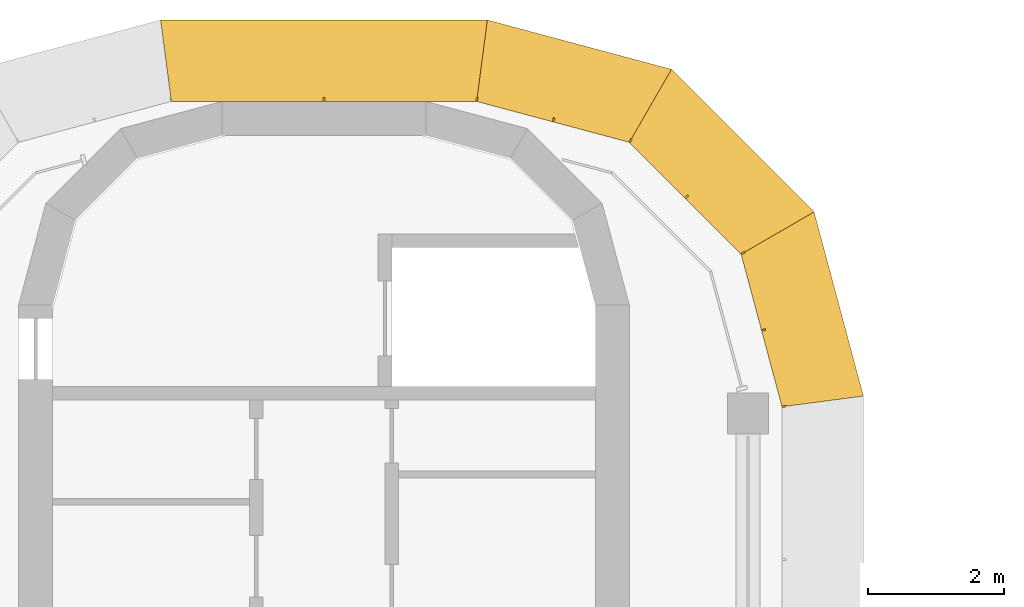
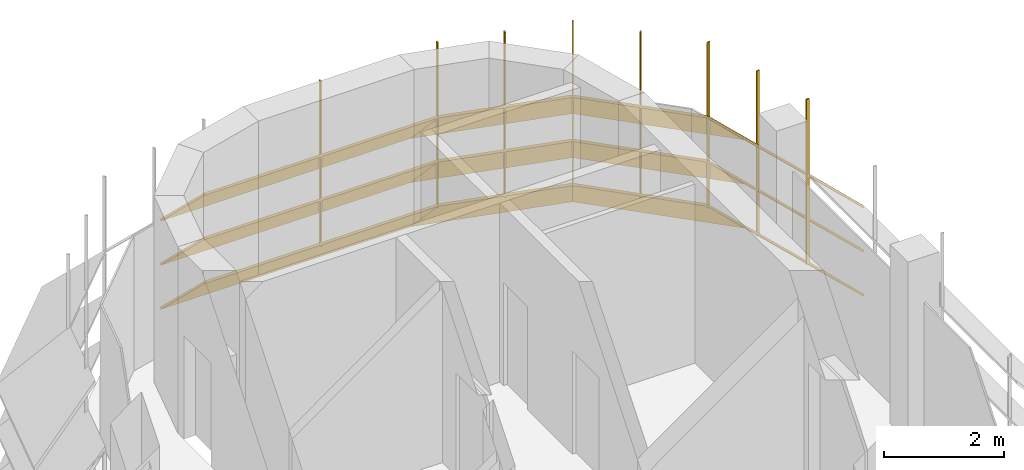
# One storey, part 19 of 19: 2 shading devices.
"""IFC4 building model written with IfcOpenShell, lengths in metres."""

from ifc_helpers import new_model, si_unit, direction, frame, origin, place, context, subcontext, project, spatial, polyline, outline, extrude, faceted_brep, source, transform, mapped, material, type_object, element, save


model = new_model("IFC4")

# Units and contexts
model_context = context("Model", 3, precision=1e-05, world=origin(), true_north=direction((0.0, 1.0)))
body_context = subcontext(model_context, "Body", "Model", "MODEL_VIEW")
ifc_project = project(units=[si_unit("LENGTHUNIT", "METRE"), si_unit("AREAUNIT", "SQUARE_METRE"), si_unit("VOLUMEUNIT", "CUBIC_METRE"), si_unit("PLANEANGLEUNIT", "RADIAN"), si_unit("MASSUNIT", "GRAM", prefix="KILO")], contexts=[model_context])

# Site, building, storey
site_placement = place(None, origin())
site = spatial("IfcSite", under=ifc_project, at=site_placement, CompositionType="ELEMENT")
building_placement = place(site_placement, origin())
building = spatial("IfcBuilding", under=site, at=building_placement, Name="Zarbagh Exchange Tower", CompositionType="ELEMENT")
storey_placement = place(building_placement, frame((0.0, 0.0, 257.39990234375)))
storey = spatial("IfcBuildingStorey", under=building, at=storey_placement, Name="L63", CompositionType="ELEMENT", Elevation=257.39990234375)

# Shading devices
ifc_material = material(Name="Anodised aluminium blades and brackets", Category="aluminium")
shading_device_type = type_object("IfcShadingDeviceType", Name="SUNSHADE louvre band, 45 degree blades", PredefinedType="JALOUSIE", material=ifc_material)
shared_shape_1 = source(origin(), body_context, "Body", "Brep", [
    faceted_brep([(0.0, 0.0, 0.0), (0.0, 0.0, -0.056640625), (-0.157958984375, -1.199951171875, -1.256591796875), (-0.157958984375, -1.199951171875, -1.199951171875), (2.65087890625, -1.199951171875, -1.199951171875), (2.65087890625, -1.199951171875, -1.256591796875), (2.329345703125, 0.0, -0.056640625), (2.329345703125, 0.0, 0.0)], [[[0, 1, 2, 3]], [[4, 5, 6, 7]], [[0, 7, 6, 1]], [[1, 6, 5, 2]], [[2, 5, 4, 3]], [[3, 4, 7, 0]]]),
])
shared_shape_2 = source(origin(), body_context, "Body", "Brep", [
    faceted_brep([(0.0, 0.0, 0.0), (0.0, 0.0, -0.056640625), (-0.321533203125, -1.199951171875, -1.256591796875), (-0.321533203125, -1.199951171875, -1.199951171875), (2.65087890625, -1.199951171875, -1.199951171875), (2.65087890625, -1.199951171875, -1.256591796875), (2.329345703125, 0.0, -0.056640625), (2.329345703125, 0.0, 0.0)], [[[0, 1, 2, 3]], [[4, 5, 6, 7]], [[0, 7, 6, 1]], [[1, 6, 5, 2]], [[2, 5, 4, 3]], [[3, 4, 7, 0]]]),
])
shared_shape_3 = source(origin(), body_context, "Body", "Brep", [
    faceted_brep([(0.0, 0.0, 0.0), (0.0, 0.0, -0.056640625), (-0.321533203125, -1.199951171875, -1.256591796875), (-0.321533203125, -1.199951171875, -1.199951171875), (2.4873046875, -1.199951171875, -1.199951171875), (2.4873046875, -1.199951171875, -1.256591796875), (2.329345703125, 0.0, -0.056640625), (2.329345703125, 0.0, 0.0)], [[[0, 1, 2, 3]], [[4, 5, 6, 7]], [[0, 7, 6, 1]], [[1, 6, 5, 2]], [[2, 5, 4, 3]], [[3, 4, 7, 0]]]),
])
shared_shape_4 = source(origin(), body_context, "Body", "SweptSolid", [
    extrude(outline(polyline([(0.0, -0.012451171875), (0.06005859375, -0.012451171875), (0.06005859375, 0.012451171875), (0.0, 0.012451171875), (0.0, -0.012451171875)])), origin(), (0.0, 0.0, 1.0), 3.366455078125),
])
placement = place(storey_placement, origin())
element("IfcShadingDevice", 1, at=placement, inside=storey, type_object=shading_device_type, Name="SS46 sunshade band", PredefinedType="JALOUSIE", context=body_context, shape_type="MappedRepresentation", body=[
    mapped(shared_shape_1, transform((6.75, 24.75, 2.300048828125), x_axis=(-0.258824779902, 0.965924289636, 0.0), y_axis=(-0.965924289636, -0.258824779902, 0.0), z_axis=(0.0, 0.0, 1.0))),
    mapped(shared_shape_1, transform((6.75, 24.75, 1.400146484375), x_axis=(-0.258824779902, 0.965924289636, 0.0), y_axis=(-0.965924289636, -0.258824779902, 0.0), z_axis=(0.0, 0.0, 1.0))),
    mapped(shared_shape_1, transform((6.75, 24.75, 0.5), x_axis=(-0.258824779902, 0.965924289636, 0.0), y_axis=(-0.965924289636, -0.258824779902, 0.0), z_axis=(0.0, 0.0, 1.0))),
    mapped(shared_shape_2, transform((6.147216796875, 27.0, 2.300048828125), x_axis=(-0.707106781187, 0.707106781187, 0.0), y_axis=(-0.707106781187, -0.707106781187, 0.0), z_axis=(0.0, 0.0, 1.0))),
    mapped(shared_shape_2, transform((6.147216796875, 27.0, 1.400146484375), x_axis=(-0.707106781187, 0.707106781187, 0.0), y_axis=(-0.707106781187, -0.707106781187, 0.0), z_axis=(0.0, 0.0, 1.0))),
    mapped(shared_shape_2, transform((6.147216796875, 27.0, 0.5), x_axis=(-0.707106781187, 0.707106781187, 0.0), y_axis=(-0.707106781187, -0.707106781187, 0.0), z_axis=(0.0, 0.0, 1.0))),
    mapped(shared_shape_3, transform((4.5, 28.647216796875, 2.300048828125), x_axis=(-0.965924289636, 0.258824779902, 0.0), y_axis=(-0.258824779902, -0.965924289636, 0.0), z_axis=(0.0, 0.0, 1.0))),
    mapped(shared_shape_3, transform((4.5, 28.647216796875, 1.400146484375), x_axis=(-0.965924289636, 0.258824779902, 0.0), y_axis=(-0.258824779902, -0.965924289636, 0.0), z_axis=(0.0, 0.0, 1.0))),
    mapped(shared_shape_3, transform((4.5, 28.647216796875, 0.5), x_axis=(-0.965924289636, 0.258824779902, 0.0), y_axis=(-0.258824779902, -0.965924289636, 0.0), z_axis=(0.0, 0.0, 1.0))),
    mapped(shared_shape_4, transform((6.75, 24.75, 0.41357421875), x_axis=(0.991444457092, 0.130529263012, 0.0), y_axis=(-0.130529263012, 0.991444457092, 0.0), z_axis=(0.0, 0.0, 1.0))),
    mapped(shared_shape_4, transform((6.448486328125, 25.875, 0.41357421875), x_axis=(0.96592421511, 0.258825058029, 0.0), y_axis=(-0.258825058029, 0.96592421511, 0.0), z_axis=(0.0, 0.0, 1.0))),
    mapped(shared_shape_4, transform((6.147216796875, 27.0, 0.41357421875), x_axis=(0.866023812018, 0.50000275701, 0.0), y_axis=(-0.50000275701, 0.866023812018, 0.0), z_axis=(0.0, 0.0, 1.0))),
    mapped(shared_shape_4, transform((5.323486328125, 27.823486328125, 0.41357421875), x_axis=(0.707106781187, 0.707106781187, 0.0), y_axis=(-0.707106781187, 0.707106781187, 0.0), z_axis=(0.0, 0.0, 1.0))),
    mapped(shared_shape_4, transform((4.5, 28.647216796875, 0.41357421875), x_axis=(0.50000275701, 0.866023812018, 0.0), y_axis=(-0.866023812018, 0.50000275701, 0.0), z_axis=(0.0, 0.0, 1.0))),
    mapped(shared_shape_4, transform((3.375, 28.948486328125, 0.41357421875), x_axis=(0.258825058029, 0.96592421511, 0.0), y_axis=(-0.96592421511, 0.258825058029, 0.0), z_axis=(0.0, 0.0, 1.0))),
])
shared_shape_5 = source(origin(), body_context, "Body", "Brep", [
    faceted_brep([(0.0, 0.0, 0.0), (0.0, 0.0, -0.056640625), (-0.157958984375, -1.199951171875, -1.256591796875), (-0.157958984375, -1.199951171875, -1.199951171875), (4.657958984375, -1.199951171875, -1.199951171875), (4.657958984375, -1.199951171875, -1.256591796875), (4.5, 0.0, -0.056640625), (4.5, 0.0, 0.0)], [[[0, 1, 2, 3]], [[4, 5, 6, 7]], [[0, 7, 6, 1]], [[1, 6, 5, 2]], [[2, 5, 4, 3]], [[3, 4, 7, 0]]]),
])
element("IfcShadingDevice", 2, at=placement, inside=storey, type_object=shading_device_type, Name="SS47 sunshade band", PredefinedType="JALOUSIE", context=body_context, shape_type="MappedRepresentation", body=[
    mapped(shared_shape_5, transform((2.25, 29.25, 2.300048828125), x_axis=(-1.0, 0.0, 0.0), y_axis=(0.0, -1.0, 0.0), z_axis=(0.0, 0.0, 1.0))),
    mapped(shared_shape_5, transform((2.25, 29.25, 1.400146484375), x_axis=(-1.0, 0.0, 0.0), y_axis=(0.0, -1.0, 0.0), z_axis=(0.0, 0.0, 1.0))),
    mapped(shared_shape_5, transform((2.25, 29.25, 0.5), x_axis=(-1.0, 0.0, 0.0), y_axis=(0.0, -1.0, 0.0), z_axis=(0.0, 0.0, 1.0))),
    mapped(shared_shape_4, transform((2.25, 29.25, 0.41357421875), x_axis=(0.130529263012, 0.991444457092, 0.0), y_axis=(-0.991444457092, 0.130529263012, 0.0), z_axis=(0.0, 0.0, 1.0))),
    mapped(shared_shape_4, transform((0.0, 29.25, 0.41357421875), x_axis=(0.0, 1.0, 0.0), y_axis=(-1.0, 0.0, 0.0), z_axis=(0.0, 0.0, 1.0))),
])

save(model, "model.ifc")
